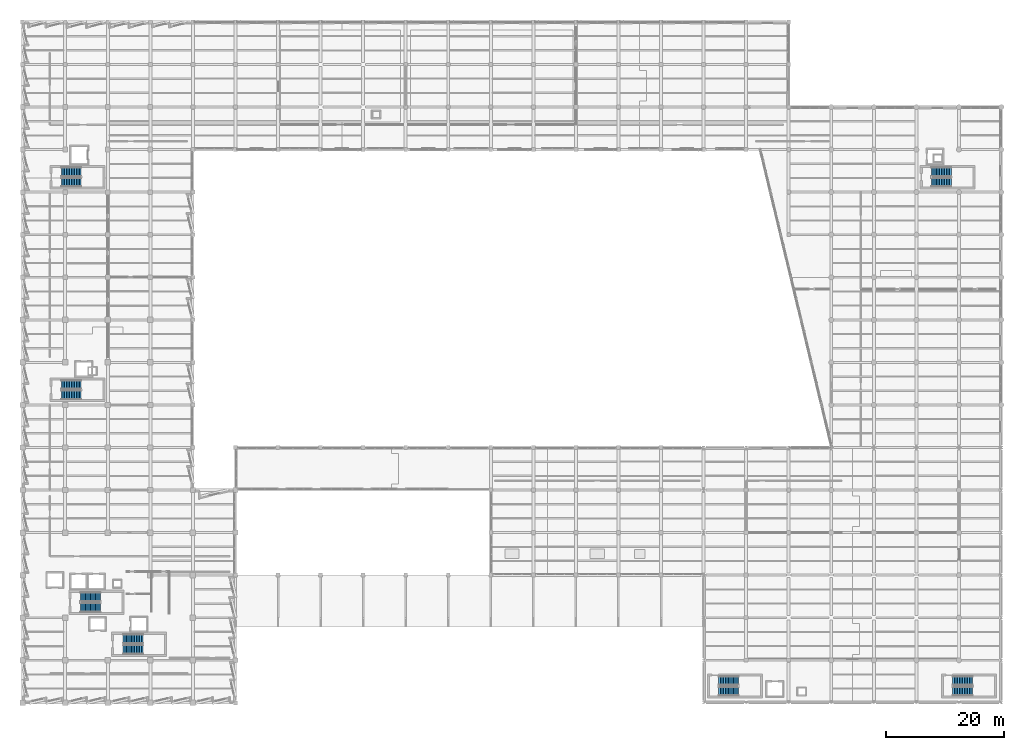
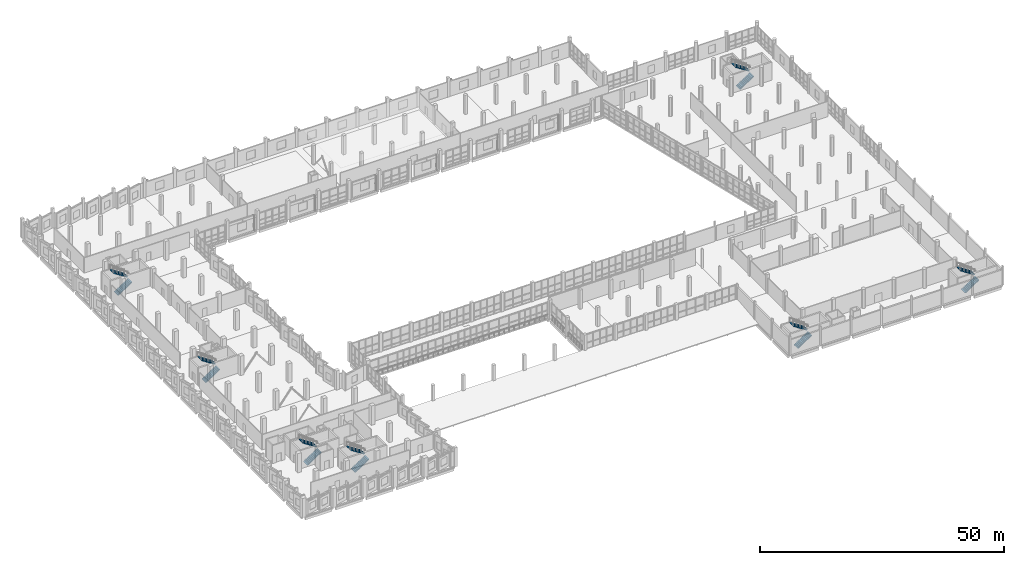
# One storey, part 102 of 127: 14 stair flights, 7 elements without a shape of their own.
"""IFC4 building model written with IfcOpenShell, lengths in metres."""

import ifcopenshell
import ifcopenshell.guid

model = None  # the IFC model being written
_history = None  # IfcOwnerHistory: only IFC2X3 demands one
_inside = {}  # id of a spatial element -> (the spatial element, [elements in it])
_under = {}  # id of a project, library or spatial element -> (it, [spatial elements below it])
_declared = {}  # id of a project -> (the project, [libraries it declares])
_typed = {}  # id of a type object -> (the type object, [elements of that type])
_made_of = {}  # id of a material, layer set ... -> (it, [elements and type objects made of it])


def new_model(schema):
    """Start an empty IFC model of exactly this schema.

    Asked for "IFC4X3", IfcOpenShell would pick the latest addendum, in which some entities
    have other attributes; the version numbers below select the first issue.
    IFC2X3 requires an IfcOwnerHistory on every rooted entity: one is made here for all.
    """
    global model, _history
    if schema == "IFC4X3":
        model = ifcopenshell.file(schema_version=(4, 3, 0, 0))
    else:
        model = ifcopenshell.file(schema=schema)
    _inside.clear()
    _under.clear()
    _declared.clear()
    _typed.clear()
    _made_of.clear()
    _history = None
    if model.schema == "IFC2X3":
        org = make("IfcOrganization", Name="unknown")
        user = make(
            "IfcPersonAndOrganization",
            ThePerson=make("IfcPerson", FamilyName="unknown"),
            TheOrganization=org,
        )
        app = make(
            "IfcApplication",
            ApplicationDeveloper=org,
            Version="unknown",
            ApplicationFullName="unknown",
            ApplicationIdentifier="unknown",
        )
        _history = make(
            "IfcOwnerHistory",
            OwningUser=user,
            OwningApplication=app,
            ChangeAction="ADDED",
            CreationDate=0,
        )
    return model


def make(cls, **values):
    """One entity of the class cls with the attributes given. An attribute that is None is left unset."""
    return model.create_entity(
        cls, **{name: value for name, value in values.items() if value is not None}
    )


def rooted(cls, **values):
    """An entity with a GlobalId (a new one), such as an element, a storey or a relation."""
    return make(cls, GlobalId=ifcopenshell.guid.new(), OwnerHistory=_history, **values)


def si_unit(unit_type, name, prefix=None):
    """IfcSIUnit, for example si_unit("LENGTHUNIT", "METRE", prefix="MILLI")."""
    return make("IfcSIUnit", UnitType=unit_type, Prefix=prefix, Name=name)


def assignment(units):
    """IfcUnitAssignment: the units of a project."""
    return None if units is None else make("IfcUnitAssignment", Units=units)


def point(xyz):
    """IfcCartesianPoint."""
    return None if xyz is None else make("IfcCartesianPoint", Coordinates=xyz)


def direction(xyz):
    """IfcDirection."""
    return None if xyz is None else make("IfcDirection", DirectionRatios=xyz)


def frame(location, z_axis=None, x_axis=None):
    """IfcAxis2Placement3D, a coordinate frame: its origin and axes. An axis left out is left unset."""
    return make(
        "IfcAxis2Placement3D",
        Location=point(location),
        Axis=direction(z_axis),
        RefDirection=direction(x_axis),
    )


def origin():
    """The frame at (0, 0, 0) with its axes left unset."""
    return frame((0.0, 0.0, 0.0))


def place(relative_to, where):
    """IfcLocalPlacement: puts the frame where relative to a parent placement (None: the world)."""
    return make(
        "IfcLocalPlacement", PlacementRelTo=relative_to, RelativePlacement=where
    )


def context(
    kind, dimensions, precision=None, world=None, true_north=None, identifier=None
):
    """IfcGeometricRepresentationContext, for example the 3D "Model" context."""
    return make(
        "IfcGeometricRepresentationContext",
        ContextIdentifier=identifier,
        ContextType=kind,
        CoordinateSpaceDimension=dimensions,
        Precision=precision,
        WorldCoordinateSystem=world,
        TrueNorth=true_north,
    )


def subcontext(parent, identifier, kind, view, scale=None):
    """IfcGeometricRepresentationSubContext, for example "Body" below "Model"."""
    return make(
        "IfcGeometricRepresentationSubContext",
        ContextIdentifier=identifier,
        ContextType=kind,
        ParentContext=parent,
        TargetScale=scale,
        TargetView=view,
    )


def project(units=None, contexts=None):
    """IfcProject with its units and contexts."""
    return rooted(
        "IfcProject",
        Name="project",
        RepresentationContexts=contexts,
        UnitsInContext=assignment(units),
    )


def spatial(cls, under=None, at=None, **own):
    """A site, building, storey or space (cls), placed at a placement, below another one or the project."""
    s = rooted(cls, ObjectPlacement=at, **own)
    if under is not None:
        _under.setdefault(under.id(), (under, []))[1].append(s)
    return s


def polyline(points):
    """IfcPolyline through the points."""
    return make("IfcPolyline", Points=[point(p) for p in points])


def outline(outer, holes=None, kind="AREA"):
    """IfcArbitraryClosedProfileDef: a profile drawn as a closed curve; with holes, ...WithVoids."""
    if holes is None:
        return make("IfcArbitraryClosedProfileDef", ProfileType=kind, OuterCurve=outer)
    return make(
        "IfcArbitraryProfileDefWithVoids",
        ProfileType=kind,
        OuterCurve=outer,
        InnerCurves=holes,
    )


def extrude(swept, where, along, depth):
    """IfcExtrudedAreaSolid: the profile swept, set in the frame where, extruded along a direction by depth."""
    return make(
        "IfcExtrudedAreaSolid",
        SweptArea=swept,
        Position=where,
        ExtrudedDirection=direction(along),
        Depth=depth,
    )


def shape(context_of_items, identifier, shape_type, items):
    """IfcShapeRepresentation: the items that make up one representation, for example the "Body"."""
    return make(
        "IfcShapeRepresentation",
        ContextOfItems=context_of_items,
        RepresentationIdentifier=identifier,
        RepresentationType=shape_type,
        Items=items,
    )


def material(Name=None, Category=None):
    """IfcMaterial."""
    return make("IfcMaterial", Name=Name, Category=Category)


def made_of(thing, what):
    """Note that an element or type object is made of a material, layer set ...; save() writes the relation."""
    if what is not None:
        _made_of.setdefault(what.id(), (what, []))[1].append(thing)
    return thing


def type_object(cls, material=None, **own):
    """A type object (cls), such as IfcWallType, which elements share."""
    return made_of(rooted(cls, **own), material)


def element(
    cls,
    number,
    at=None,
    inside=None,
    cuts=None,
    type_object=None,
    material=None,
    context=None,
    identifier="Body",
    shape_type=None,
    held_by="IfcProductDefinitionShape",
    body=None,
    shapes=None,
    **own,
):
    """One element of the class cls, such as IfcWall. Its Tag is "e" and its number.

    at: its placement. inside: the storey or other place that contains it. cuts: it is an
    opening in that element (IfcRelVoidsElement). A single representation is given by context,
    identifier, shape_type and body (its items); several are given by shapes. held_by: the class
    of the entity that holds the representations. save() writes the other relations.
    """
    e = rooted(cls, Tag="e%d" % number, ObjectPlacement=at, **own)
    if body is not None:
        shapes = [shape(context, identifier, shape_type, body)]
    if shapes is not None:
        e.Representation = make(held_by, Representations=shapes)
    if inside is not None:
        _inside.setdefault(inside.id(), (inside, []))[1].append(e)
    if cuts is not None:
        rooted(
            "IfcRelVoidsElement", RelatingBuildingElement=cuts, RelatedOpeningElement=e
        )
    if type_object is not None:
        _typed.setdefault(type_object.id(), (type_object, []))[1].append(e)
    return made_of(e, material)


def aggregate(whole, parts):
    """IfcRelAggregates: a whole, such as a stair, and the parts it consists of."""
    return rooted("IfcRelAggregates", RelatingObject=whole, RelatedObjects=parts)


def save(model, path):
    """Write the relations noted so far, then the file.

    IfcRelAggregates (storeys below a building ...), IfcRelContainedInSpatialStructure (elements
    in a storey), IfcRelDefinesByType, IfcRelAssociatesMaterial and IfcRelDeclares: one each for
    every whole, place, type object, material and project.
    """
    for whole, parts in _under.values():
        aggregate(whole, parts)
    for where, things in _inside.values():
        rooted(
            "IfcRelContainedInSpatialStructure",
            RelatedElements=things,
            RelatingStructure=where,
        )
    for kind, things in _typed.values():
        rooted("IfcRelDefinesByType", RelatedObjects=things, RelatingType=kind)
    for what, things in _made_of.values():
        rooted("IfcRelAssociatesMaterial", RelatedObjects=things, RelatingMaterial=what)
    for by, libraries in _declared.values():
        rooted("IfcRelDeclares", RelatingContext=by, RelatedDefinitions=libraries)
    model.write(path)


model = new_model("IFC4")

# Units and contexts
model_context = context("Model", 3, precision=1e-05, world=origin(), true_north=direction((0.0, 1.0)))
body_context = subcontext(model_context, "Body", "Model", "MODEL_VIEW")
ifc_project = project(units=[si_unit("LENGTHUNIT", "METRE"), si_unit("AREAUNIT", "SQUARE_METRE"), si_unit("VOLUMEUNIT", "CUBIC_METRE"), si_unit("PLANEANGLEUNIT", "RADIAN"), si_unit("MASSUNIT", "GRAM", prefix="KILO")], contexts=[model_context])

# Site, building, storey
site_placement = place(None, origin())
site = spatial("IfcSite", under=ifc_project, at=site_placement, CompositionType="ELEMENT")
building_placement = place(site_placement, origin())
building = spatial("IfcBuilding", under=site, at=building_placement, Name="Kalmorath City Hall", CompositionType="ELEMENT")
storey_placement = place(building_placement, frame((0.0, 0.0, 5.39990234375)))
storey = spatial("IfcBuildingStorey", under=building, at=storey_placement, Name="L01", CompositionType="ELEMENT", Elevation=5.39990234375)

# Stair, stair flights
ifc_material_1 = material(Name="Concrete C40/50", Category="concrete")
stair_type_1 = type_object("IfcStairType", Name="Dogleg concrete exit stair 26R x 185mm W1550", PredefinedType="HALF_TURN_STAIR", material=ifc_material_1)
stair_1_placement = place(storey_placement, origin())
stair_1 = element("IfcStair", 1, at=stair_1_placement, inside=storey, type_object=stair_type_1, Name="L01 Protected exit stair ST-3", PredefinedType="HALF_TURN_STAIR")
ifc_material_2 = material(Name="Concrete C40/50", Category="concrete")
stair_flight_type_1 = type_object("IfcStairFlightType", Name="Concrete stair flight 185x280 W1550", PredefinedType="STRAIGHT", material=ifc_material_2)
stair_flight_1_placement = place(storey_placement, frame((6.550048828125, 52.074951171875, 0.0), z_axis=(0.0, 0.0, 1.0), x_axis=(1.0, 0.0, 0.0)))
stair_flight_1 = element("IfcStairFlight", 2, at=stair_flight_1_placement, type_object=stair_flight_type_1, Name="ST-3 flight 1", NumberOfRisers=13, NumberOfTreads=12, PredefinedType="STRAIGHT", RiserHeight=0.184615385, TreadLength=0.28, context=body_context, shape_type="SweptSolid", body=[
    extrude(outline(polyline([(0.0, 0.0), (0.0, 0.1845703125), (0.280029296875, 0.1845703125), (0.280029296875, 0.369140625), (0.56005859375, 0.369140625), (0.56005859375, 0.553955078125), (0.840087890625, 0.553955078125), (0.840087890625, 0.738525390625), (1.1201171875, 0.738525390625), (1.1201171875, 0.923095703125), (1.39990234375, 0.923095703125), (1.39990234375, 1.107666015625), (1.679931640625, 1.107666015625), (1.679931640625, 1.292236328125), (1.9599609375, 1.292236328125), (1.9599609375, 1.476806640625), (2.239990234375, 1.476806640625), (2.239990234375, 1.66162109375), (2.52001953125, 1.66162109375), (2.52001953125, 1.84619140625), (2.800048828125, 1.84619140625), (2.800048828125, 2.03076171875), (3.080078125, 2.03076171875), (3.080078125, 2.21533203125), (3.360107421875, 2.21533203125), (3.360107421875, 2.39990234375), (3.360107421875, 2.035888671875), (0.272216796875, 0.0), (0.0, 0.0)])), frame((0.0, 0.77490234375, 0.0), z_axis=(0.0, -1.0, 0.0), x_axis=(1.0, 0.0, 0.0)), (0.0, 0.0, 1.0), 1.550048828125),
])
stair_flight_2_placement = place(storey_placement, frame((9.909912109375, 53.824951171875, 2.400146484375), z_axis=(0.0, 0.0, 1.0), x_axis=(-1.0, 0.0, 0.0)))
stair_flight_2 = element("IfcStairFlight", 3, at=stair_flight_2_placement, type_object=stair_flight_type_1, Name="ST-3 flight 2", NumberOfRisers=13, NumberOfTreads=12, PredefinedType="STRAIGHT", RiserHeight=0.184615385, TreadLength=0.28, context=body_context, shape_type="SweptSolid", body=[
    extrude(outline(polyline([(0.0, 0.0), (0.0, 0.1845703125), (0.280029296875, 0.1845703125), (0.280029296875, 0.369140625), (0.56005859375, 0.369140625), (0.56005859375, 0.553955078125), (0.840087890625, 0.553955078125), (0.840087890625, 0.738525390625), (1.1201171875, 0.738525390625), (1.1201171875, 0.923095703125), (1.39990234375, 0.923095703125), (1.39990234375, 1.107666015625), (1.679931640625, 1.107666015625), (1.679931640625, 1.292236328125), (1.9599609375, 1.292236328125), (1.9599609375, 1.476806640625), (2.239990234375, 1.476806640625), (2.239990234375, 1.66162109375), (2.52001953125, 1.66162109375), (2.52001953125, 1.84619140625), (2.800048828125, 1.84619140625), (2.800048828125, 2.03076171875), (3.080078125, 2.03076171875), (3.080078125, 2.21533203125), (3.360107421875, 2.21533203125), (3.360107421875, 2.39990234375), (3.360107421875, 2.035888671875), (0.272216796875, 0.0), (0.0, 0.0)])), frame((0.0, 0.77490234375, 0.0), z_axis=(0.0, -1.0, 0.0), x_axis=(1.0, 0.0, 0.0)), (0.0, 0.0, 1.0), 1.550048828125),
])
aggregate(stair_1, [stair_flight_1, stair_flight_2])

stair_2_placement = place(storey_placement, origin())
stair_2 = element("IfcStair", 4, at=stair_2_placement, inside=storey, type_object=stair_type_1, Name="L01 Protected exit stair ST-4", PredefinedType="HALF_TURN_STAIR")
stair_flight_3_placement = place(storey_placement, frame((6.550048828125, 88.074951171875, 0.0), z_axis=(0.0, 0.0, 1.0), x_axis=(1.0, 0.0, 0.0)))
stair_flight_3 = element("IfcStairFlight", 5, at=stair_flight_3_placement, type_object=stair_flight_type_1, Name="ST-4 flight 1", NumberOfRisers=13, NumberOfTreads=12, PredefinedType="STRAIGHT", RiserHeight=0.184615385, TreadLength=0.28, context=body_context, shape_type="SweptSolid", body=[
    extrude(outline(polyline([(0.0, 0.0), (0.0, 0.1845703125), (0.280029296875, 0.1845703125), (0.280029296875, 0.369140625), (0.56005859375, 0.369140625), (0.56005859375, 0.553955078125), (0.840087890625, 0.553955078125), (0.840087890625, 0.738525390625), (1.1201171875, 0.738525390625), (1.1201171875, 0.923095703125), (1.39990234375, 0.923095703125), (1.39990234375, 1.107666015625), (1.679931640625, 1.107666015625), (1.679931640625, 1.292236328125), (1.9599609375, 1.292236328125), (1.9599609375, 1.476806640625), (2.239990234375, 1.476806640625), (2.239990234375, 1.66162109375), (2.52001953125, 1.66162109375), (2.52001953125, 1.84619140625), (2.800048828125, 1.84619140625), (2.800048828125, 2.03076171875), (3.080078125, 2.03076171875), (3.080078125, 2.21533203125), (3.360107421875, 2.21533203125), (3.360107421875, 2.39990234375), (3.360107421875, 2.035888671875), (0.272216796875, 0.0), (0.0, 0.0)])), frame((0.0, 0.77490234375, 0.0), z_axis=(0.0, -1.0, 0.0), x_axis=(1.0, 0.0, 0.0)), (0.0, 0.0, 1.0), 1.550048828125),
])
stair_flight_4_placement = place(storey_placement, frame((9.909912109375, 89.824951171875, 2.400146484375), z_axis=(0.0, 0.0, 1.0), x_axis=(-1.0, 0.0, 0.0)))
stair_flight_4 = element("IfcStairFlight", 6, at=stair_flight_4_placement, type_object=stair_flight_type_1, Name="ST-4 flight 2", NumberOfRisers=13, NumberOfTreads=12, PredefinedType="STRAIGHT", RiserHeight=0.184615385, TreadLength=0.28, context=body_context, shape_type="SweptSolid", body=[
    extrude(outline(polyline([(0.0, 0.0), (0.0, 0.1845703125), (0.280029296875, 0.1845703125), (0.280029296875, 0.369140625), (0.56005859375, 0.369140625), (0.56005859375, 0.553955078125), (0.840087890625, 0.553955078125), (0.840087890625, 0.738525390625), (1.1201171875, 0.738525390625), (1.1201171875, 0.923095703125), (1.39990234375, 0.923095703125), (1.39990234375, 1.107666015625), (1.679931640625, 1.107666015625), (1.679931640625, 1.292236328125), (1.9599609375, 1.292236328125), (1.9599609375, 1.476806640625), (2.239990234375, 1.476806640625), (2.239990234375, 1.66162109375), (2.52001953125, 1.66162109375), (2.52001953125, 1.84619140625), (2.800048828125, 1.84619140625), (2.800048828125, 2.03076171875), (3.080078125, 2.03076171875), (3.080078125, 2.21533203125), (3.360107421875, 2.21533203125), (3.360107421875, 2.39990234375), (3.360107421875, 2.035888671875), (0.272216796875, 0.0), (0.0, 0.0)])), frame((0.0, 0.77490234375, 0.0), z_axis=(0.0, -1.0, 0.0), x_axis=(1.0, 0.0, 0.0)), (0.0, 0.0, 1.0), 1.550048828125),
])
aggregate(stair_2, [stair_flight_3, stair_flight_4])

stair_3_placement = place(storey_placement, origin())
stair_3 = element("IfcStair", 7, at=stair_3_placement, inside=storey, type_object=stair_type_1, Name="L01 Protected exit stair ST-5", PredefinedType="HALF_TURN_STAIR")
stair_flight_5_placement = place(storey_placement, frame((117.75, 1.97509765625, 0.0), z_axis=(0.0, 0.0, 1.0), x_axis=(1.0, 0.0, 0.0)))
stair_flight_5 = element("IfcStairFlight", 8, at=stair_flight_5_placement, type_object=stair_flight_type_1, Name="ST-5 flight 1", NumberOfRisers=13, NumberOfTreads=12, PredefinedType="STRAIGHT", RiserHeight=0.184615385, TreadLength=0.28, context=body_context, shape_type="SweptSolid", body=[
    extrude(outline(polyline([(0.0, 0.0), (0.0, 0.1845703125), (0.280029296875, 0.1845703125), (0.280029296875, 0.369140625), (0.56005859375, 0.369140625), (0.56005859375, 0.553955078125), (0.840087890625, 0.553955078125), (0.840087890625, 0.738525390625), (1.1201171875, 0.738525390625), (1.1201171875, 0.923095703125), (1.39990234375, 0.923095703125), (1.39990234375, 1.107666015625), (1.679931640625, 1.107666015625), (1.679931640625, 1.292236328125), (1.9599609375, 1.292236328125), (1.9599609375, 1.476806640625), (2.239990234375, 1.476806640625), (2.239990234375, 1.66162109375), (2.52001953125, 1.66162109375), (2.52001953125, 1.84619140625), (2.800048828125, 1.84619140625), (2.800048828125, 2.03076171875), (3.080078125, 2.03076171875), (3.080078125, 2.21533203125), (3.360107421875, 2.21533203125), (3.360107421875, 2.39990234375), (3.360107421875, 2.035888671875), (0.272216796875, 0.0), (0.0, 0.0)])), frame((0.0, 0.77490234375, 0.0), z_axis=(0.0, -1.0, 0.0), x_axis=(1.0, 0.0, 0.0)), (0.0, 0.0, 1.0), 1.550048828125),
])
stair_flight_6_placement = place(storey_placement, frame((121.110107421875, 3.72509765625, 2.400146484375), z_axis=(0.0, 0.0, 1.0), x_axis=(-1.0, 0.0, 0.0)))
stair_flight_6 = element("IfcStairFlight", 9, at=stair_flight_6_placement, type_object=stair_flight_type_1, Name="ST-5 flight 2", NumberOfRisers=13, NumberOfTreads=12, PredefinedType="STRAIGHT", RiserHeight=0.184615385, TreadLength=0.28, context=body_context, shape_type="SweptSolid", body=[
    extrude(outline(polyline([(0.0, 0.0), (0.0, 0.1845703125), (0.280029296875, 0.1845703125), (0.280029296875, 0.369140625), (0.56005859375, 0.369140625), (0.56005859375, 0.553955078125), (0.840087890625, 0.553955078125), (0.840087890625, 0.738525390625), (1.1201171875, 0.738525390625), (1.1201171875, 0.923095703125), (1.39990234375, 0.923095703125), (1.39990234375, 1.107666015625), (1.679931640625, 1.107666015625), (1.679931640625, 1.292236328125), (1.9599609375, 1.292236328125), (1.9599609375, 1.476806640625), (2.239990234375, 1.476806640625), (2.239990234375, 1.66162109375), (2.52001953125, 1.66162109375), (2.52001953125, 1.84619140625), (2.800048828125, 1.84619140625), (2.800048828125, 2.03076171875), (3.080078125, 2.03076171875), (3.080078125, 2.21533203125), (3.360107421875, 2.21533203125), (3.360107421875, 2.39990234375), (3.360107421875, 2.035888671875), (0.272216796875, 0.0), (0.0, 0.0)])), frame((0.0, 0.77490234375, 0.0), z_axis=(0.0, -1.0, 0.0), x_axis=(1.0, 0.0, 0.0)), (0.0, 0.0, 1.0), 1.550048828125),
])
aggregate(stair_3, [stair_flight_5, stair_flight_6])

stair_4_placement = place(storey_placement, origin())
stair_4 = element("IfcStair", 10, at=stair_4_placement, inside=storey, type_object=stair_type_1, Name="L01 Protected exit stair ST-6", PredefinedType="HALF_TURN_STAIR")
stair_flight_7_placement = place(storey_placement, frame((153.75, 88.074951171875, 0.0), z_axis=(0.0, 0.0, 1.0), x_axis=(1.0, 0.0, 0.0)))
stair_flight_7 = element("IfcStairFlight", 11, at=stair_flight_7_placement, type_object=stair_flight_type_1, Name="ST-6 flight 1", NumberOfRisers=13, NumberOfTreads=12, PredefinedType="STRAIGHT", RiserHeight=0.184615385, TreadLength=0.28, context=body_context, shape_type="SweptSolid", body=[
    extrude(outline(polyline([(0.0, 0.0), (0.0, 0.1845703125), (0.280029296875, 0.1845703125), (0.280029296875, 0.369140625), (0.56005859375, 0.369140625), (0.56005859375, 0.553955078125), (0.840087890625, 0.553955078125), (0.840087890625, 0.738525390625), (1.1201171875, 0.738525390625), (1.1201171875, 0.923095703125), (1.39990234375, 0.923095703125), (1.39990234375, 1.107666015625), (1.679931640625, 1.107666015625), (1.679931640625, 1.292236328125), (1.9599609375, 1.292236328125), (1.9599609375, 1.476806640625), (2.239990234375, 1.476806640625), (2.239990234375, 1.66162109375), (2.52001953125, 1.66162109375), (2.52001953125, 1.84619140625), (2.800048828125, 1.84619140625), (2.800048828125, 2.03076171875), (3.080078125, 2.03076171875), (3.080078125, 2.21533203125), (3.360107421875, 2.21533203125), (3.360107421875, 2.39990234375), (3.360107421875, 2.035888671875), (0.272216796875, 0.0), (0.0, 0.0)])), frame((0.0, 0.77490234375, 0.0), z_axis=(0.0, -1.0, 0.0), x_axis=(1.0, 0.0, 0.0)), (0.0, 0.0, 1.0), 1.550048828125),
])
stair_flight_8_placement = place(storey_placement, frame((157.110107421875, 89.824951171875, 2.400146484375), z_axis=(0.0, 0.0, 1.0), x_axis=(-1.0, 0.0, 0.0)))
stair_flight_8 = element("IfcStairFlight", 12, at=stair_flight_8_placement, type_object=stair_flight_type_1, Name="ST-6 flight 2", NumberOfRisers=13, NumberOfTreads=12, PredefinedType="STRAIGHT", RiserHeight=0.184615385, TreadLength=0.28, context=body_context, shape_type="SweptSolid", body=[
    extrude(outline(polyline([(0.0, 0.0), (0.0, 0.1845703125), (0.280029296875, 0.1845703125), (0.280029296875, 0.369140625), (0.56005859375, 0.369140625), (0.56005859375, 0.553955078125), (0.840087890625, 0.553955078125), (0.840087890625, 0.738525390625), (1.1201171875, 0.738525390625), (1.1201171875, 0.923095703125), (1.39990234375, 0.923095703125), (1.39990234375, 1.107666015625), (1.679931640625, 1.107666015625), (1.679931640625, 1.292236328125), (1.9599609375, 1.292236328125), (1.9599609375, 1.476806640625), (2.239990234375, 1.476806640625), (2.239990234375, 1.66162109375), (2.52001953125, 1.66162109375), (2.52001953125, 1.84619140625), (2.800048828125, 1.84619140625), (2.800048828125, 2.03076171875), (3.080078125, 2.03076171875), (3.080078125, 2.21533203125), (3.360107421875, 2.21533203125), (3.360107421875, 2.39990234375), (3.360107421875, 2.035888671875), (0.272216796875, 0.0), (0.0, 0.0)])), frame((0.0, 0.77490234375, 0.0), z_axis=(0.0, -1.0, 0.0), x_axis=(1.0, 0.0, 0.0)), (0.0, 0.0, 1.0), 1.550048828125),
])
aggregate(stair_4, [stair_flight_7, stair_flight_8])

stair_5_placement = place(storey_placement, origin())
stair_5 = element("IfcStair", 13, at=stair_5_placement, inside=storey, type_object=stair_type_1, Name="L01 Protected exit stair ST-7", PredefinedType="HALF_TURN_STAIR")
stair_flight_9_placement = place(storey_placement, frame((157.35009765625, 1.97509765625, 0.0), z_axis=(0.0, 0.0, 1.0), x_axis=(1.0, 0.0, 0.0)))
stair_flight_9 = element("IfcStairFlight", 14, at=stair_flight_9_placement, type_object=stair_flight_type_1, Name="ST-7 flight 1", NumberOfRisers=13, NumberOfTreads=12, PredefinedType="STRAIGHT", RiserHeight=0.184615385, TreadLength=0.28, context=body_context, shape_type="SweptSolid", body=[
    extrude(outline(polyline([(0.0, 0.0), (0.0, 0.1845703125), (0.280029296875, 0.1845703125), (0.280029296875, 0.369140625), (0.56005859375, 0.369140625), (0.56005859375, 0.553955078125), (0.840087890625, 0.553955078125), (0.840087890625, 0.738525390625), (1.1201171875, 0.738525390625), (1.1201171875, 0.923095703125), (1.39990234375, 0.923095703125), (1.39990234375, 1.107666015625), (1.679931640625, 1.107666015625), (1.679931640625, 1.292236328125), (1.9599609375, 1.292236328125), (1.9599609375, 1.476806640625), (2.239990234375, 1.476806640625), (2.239990234375, 1.66162109375), (2.52001953125, 1.66162109375), (2.52001953125, 1.84619140625), (2.800048828125, 1.84619140625), (2.800048828125, 2.03076171875), (3.080078125, 2.03076171875), (3.080078125, 2.21533203125), (3.360107421875, 2.21533203125), (3.360107421875, 2.39990234375), (3.360107421875, 2.035888671875), (0.272216796875, 0.0), (0.0, 0.0)])), frame((0.0, 0.77490234375, 0.0), z_axis=(0.0, -1.0, 0.0), x_axis=(1.0, 0.0, 0.0)), (0.0, 0.0, 1.0), 1.550048828125),
])
stair_flight_10_placement = place(storey_placement, frame((160.7099609375, 3.72509765625, 2.400146484375), z_axis=(0.0, 0.0, 1.0), x_axis=(-1.0, 0.0, 0.0)))
stair_flight_10 = element("IfcStairFlight", 15, at=stair_flight_10_placement, type_object=stair_flight_type_1, Name="ST-7 flight 2", NumberOfRisers=13, NumberOfTreads=12, PredefinedType="STRAIGHT", RiserHeight=0.184615385, TreadLength=0.28, context=body_context, shape_type="SweptSolid", body=[
    extrude(outline(polyline([(0.0, 0.0), (0.0, 0.1845703125), (0.280029296875, 0.1845703125), (0.280029296875, 0.369140625), (0.56005859375, 0.369140625), (0.56005859375, 0.553955078125), (0.840087890625, 0.553955078125), (0.840087890625, 0.738525390625), (1.1201171875, 0.738525390625), (1.1201171875, 0.923095703125), (1.39990234375, 0.923095703125), (1.39990234375, 1.107666015625), (1.679931640625, 1.107666015625), (1.679931640625, 1.292236328125), (1.9599609375, 1.292236328125), (1.9599609375, 1.476806640625), (2.239990234375, 1.476806640625), (2.239990234375, 1.66162109375), (2.52001953125, 1.66162109375), (2.52001953125, 1.84619140625), (2.800048828125, 1.84619140625), (2.800048828125, 2.03076171875), (3.080078125, 2.03076171875), (3.080078125, 2.21533203125), (3.360107421875, 2.21533203125), (3.360107421875, 2.39990234375), (3.360107421875, 2.035888671875), (0.272216796875, 0.0), (0.0, 0.0)])), frame((0.0, 0.77490234375, 0.0), z_axis=(0.0, -1.0, 0.0), x_axis=(1.0, 0.0, 0.0)), (0.0, 0.0, 1.0), 1.550048828125),
])
aggregate(stair_5, [stair_flight_9, stair_flight_10])

ifc_material_3 = material(Name="Concrete C40/50", Category="concrete")
stair_type_2 = type_object("IfcStairType", Name="Dogleg concrete exit stair 26R x 185mm W1600", PredefinedType="HALF_TURN_STAIR", material=ifc_material_3)
stair_6_placement = place(storey_placement, origin())
stair_6 = element("IfcStair", 16, at=stair_6_placement, inside=storey, type_object=stair_type_2, Name="L01 Protected exit stair ST-1", PredefinedType="HALF_TURN_STAIR")
ifc_material_4 = material(Name="Concrete C40/50", Category="concrete")
stair_flight_type_2 = type_object("IfcStairFlightType", Name="Concrete stair flight 185x280 W1600", PredefinedType="STRAIGHT", material=ifc_material_4)
stair_flight_11_placement = place(storey_placement, frame((9.800048828125, 16.10009765625, 0.0), z_axis=(0.0, 0.0, 1.0), x_axis=(1.0, 0.0, 0.0)))
stair_flight_11 = element("IfcStairFlight", 17, at=stair_flight_11_placement, type_object=stair_flight_type_2, Name="ST-1 flight 1", NumberOfRisers=13, NumberOfTreads=12, PredefinedType="STRAIGHT", RiserHeight=0.184615385, TreadLength=0.28, context=body_context, shape_type="SweptSolid", body=[
    extrude(outline(polyline([(0.0, 0.0), (0.0, 0.1845703125), (0.280029296875, 0.1845703125), (0.280029296875, 0.369140625), (0.56005859375, 0.369140625), (0.56005859375, 0.553955078125), (0.840087890625, 0.553955078125), (0.840087890625, 0.738525390625), (1.1201171875, 0.738525390625), (1.1201171875, 0.923095703125), (1.39990234375, 0.923095703125), (1.39990234375, 1.107666015625), (1.679931640625, 1.107666015625), (1.679931640625, 1.292236328125), (1.9599609375, 1.292236328125), (1.9599609375, 1.476806640625), (2.239990234375, 1.476806640625), (2.239990234375, 1.66162109375), (2.52001953125, 1.66162109375), (2.52001953125, 1.84619140625), (2.800048828125, 1.84619140625), (2.800048828125, 2.03076171875), (3.080078125, 2.03076171875), (3.080078125, 2.21533203125), (3.360107421875, 2.21533203125), (3.360107421875, 2.39990234375), (3.360107421875, 2.035888671875), (0.272216796875, 0.0), (0.0, 0.0)])), frame((0.0, 0.800048828125, 0.0), z_axis=(0.0, -1.0, 0.0), x_axis=(1.0, 0.0, 0.0)), (0.0, 0.0, 1.0), 1.60009765625),
])
stair_flight_12_placement = place(storey_placement, frame((13.159912109375, 17.89990234375, 2.400146484375), z_axis=(0.0, 0.0, 1.0), x_axis=(-1.0, 0.0, 0.0)))
stair_flight_12 = element("IfcStairFlight", 18, at=stair_flight_12_placement, type_object=stair_flight_type_2, Name="ST-1 flight 2", NumberOfRisers=13, NumberOfTreads=12, PredefinedType="STRAIGHT", RiserHeight=0.184615385, TreadLength=0.28, context=body_context, shape_type="SweptSolid", body=[
    extrude(outline(polyline([(0.0, 0.0), (0.0, 0.1845703125), (0.280029296875, 0.1845703125), (0.280029296875, 0.369140625), (0.56005859375, 0.369140625), (0.56005859375, 0.553955078125), (0.840087890625, 0.553955078125), (0.840087890625, 0.738525390625), (1.1201171875, 0.738525390625), (1.1201171875, 0.923095703125), (1.39990234375, 0.923095703125), (1.39990234375, 1.107666015625), (1.679931640625, 1.107666015625), (1.679931640625, 1.292236328125), (1.9599609375, 1.292236328125), (1.9599609375, 1.476806640625), (2.239990234375, 1.476806640625), (2.239990234375, 1.66162109375), (2.52001953125, 1.66162109375), (2.52001953125, 1.84619140625), (2.800048828125, 1.84619140625), (2.800048828125, 2.03076171875), (3.080078125, 2.03076171875), (3.080078125, 2.21533203125), (3.360107421875, 2.21533203125), (3.360107421875, 2.39990234375), (3.360107421875, 2.035888671875), (0.272216796875, 0.0), (0.0, 0.0)])), frame((0.0, 0.800048828125, 0.0), z_axis=(0.0, -1.0, 0.0), x_axis=(1.0, 0.0, 0.0)), (0.0, 0.0, 1.0), 1.60009765625),
])
aggregate(stair_6, [stair_flight_11, stair_flight_12])

stair_7_placement = place(storey_placement, origin())
stair_7 = element("IfcStair", 19, at=stair_7_placement, inside=storey, type_object=stair_type_2, Name="L01 Protected exit stair ST-2", PredefinedType="HALF_TURN_STAIR")
stair_flight_13_placement = place(storey_placement, frame((17.0, 9.0, 0.0), z_axis=(0.0, 0.0, 1.0), x_axis=(1.0, 0.0, 0.0)))
stair_flight_13 = element("IfcStairFlight", 20, at=stair_flight_13_placement, type_object=stair_flight_type_2, Name="ST-2 flight 1", NumberOfRisers=13, NumberOfTreads=12, PredefinedType="STRAIGHT", RiserHeight=0.184615385, TreadLength=0.28, context=body_context, shape_type="SweptSolid", body=[
    extrude(outline(polyline([(0.0, 0.0), (0.0, 0.1845703125), (0.280029296875, 0.1845703125), (0.280029296875, 0.369140625), (0.56005859375, 0.369140625), (0.56005859375, 0.553955078125), (0.840087890625, 0.553955078125), (0.840087890625, 0.738525390625), (1.1201171875, 0.738525390625), (1.1201171875, 0.923095703125), (1.39990234375, 0.923095703125), (1.39990234375, 1.107666015625), (1.679931640625, 1.107666015625), (1.679931640625, 1.292236328125), (1.9599609375, 1.292236328125), (1.9599609375, 1.476806640625), (2.239990234375, 1.476806640625), (2.239990234375, 1.66162109375), (2.52001953125, 1.66162109375), (2.52001953125, 1.84619140625), (2.800048828125, 1.84619140625), (2.800048828125, 2.03076171875), (3.080078125, 2.03076171875), (3.080078125, 2.21533203125), (3.360107421875, 2.21533203125), (3.360107421875, 2.39990234375), (3.360107421875, 2.035888671875), (0.272216796875, 0.0), (0.0, 0.0)])), frame((0.0, 0.800048828125, 0.0), z_axis=(0.0, -1.0, 0.0), x_axis=(1.0, 0.0, 0.0)), (0.0, 0.0, 1.0), 1.60009765625),
])
stair_flight_14_placement = place(storey_placement, frame((20.360107421875, 10.800048828125, 2.400146484375), z_axis=(0.0, 0.0, 1.0), x_axis=(-1.0, 0.0, 0.0)))
stair_flight_14 = element("IfcStairFlight", 21, at=stair_flight_14_placement, type_object=stair_flight_type_2, Name="ST-2 flight 2", NumberOfRisers=13, NumberOfTreads=12, PredefinedType="STRAIGHT", RiserHeight=0.184615385, TreadLength=0.28, context=body_context, shape_type="SweptSolid", body=[
    extrude(outline(polyline([(0.0, 0.0), (0.0, 0.1845703125), (0.280029296875, 0.1845703125), (0.280029296875, 0.369140625), (0.56005859375, 0.369140625), (0.56005859375, 0.553955078125), (0.840087890625, 0.553955078125), (0.840087890625, 0.738525390625), (1.1201171875, 0.738525390625), (1.1201171875, 0.923095703125), (1.39990234375, 0.923095703125), (1.39990234375, 1.107666015625), (1.679931640625, 1.107666015625), (1.679931640625, 1.292236328125), (1.9599609375, 1.292236328125), (1.9599609375, 1.476806640625), (2.239990234375, 1.476806640625), (2.239990234375, 1.66162109375), (2.52001953125, 1.66162109375), (2.52001953125, 1.84619140625), (2.800048828125, 1.84619140625), (2.800048828125, 2.03076171875), (3.080078125, 2.03076171875), (3.080078125, 2.21533203125), (3.360107421875, 2.21533203125), (3.360107421875, 2.39990234375), (3.360107421875, 2.035888671875), (0.272216796875, 0.0), (0.0, 0.0)])), frame((0.0, 0.800048828125, 0.0), z_axis=(0.0, -1.0, 0.0), x_axis=(1.0, 0.0, 0.0)), (0.0, 0.0, 1.0), 1.60009765625),
])
aggregate(stair_7, [stair_flight_13, stair_flight_14])

save(model, "model.ifc")
